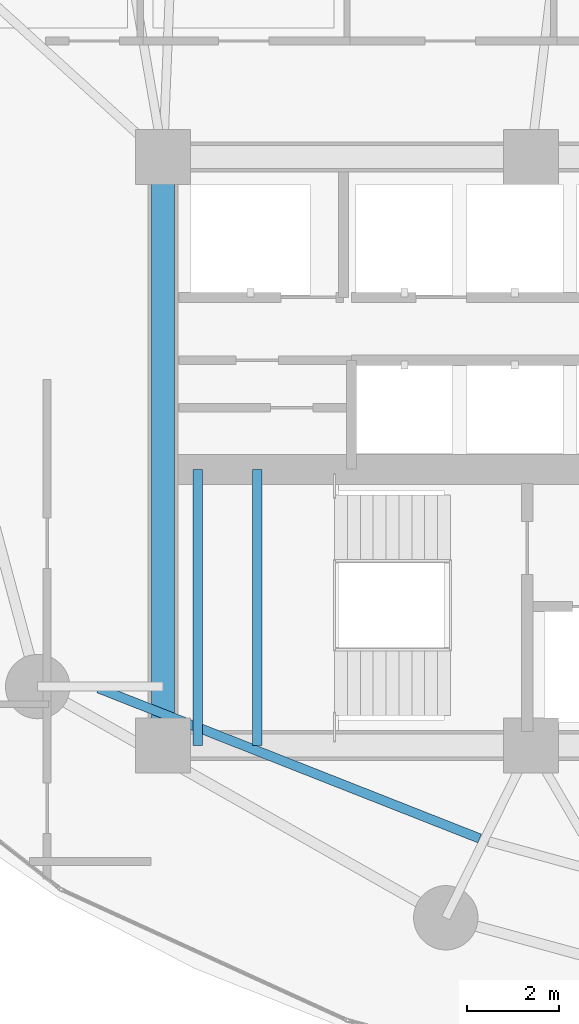
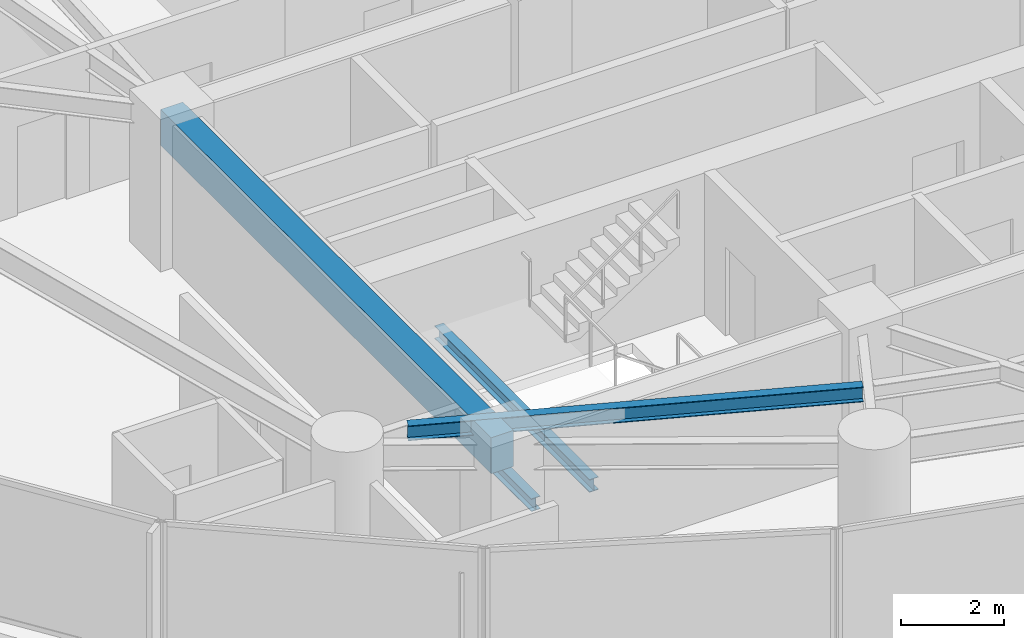
# One storey, part 4 of 33: 4 beams.
"""IFC4 building model written with IfcOpenShell, lengths in metres."""

from ifc_helpers import new_model, si_unit, direction, frame, origin, origin_2d, place, context, subcontext, project, spatial, rectangle, i_section, extrude, material, material_profile, profile_set, type_object, element, save


model = new_model("IFC4")

# Units and contexts
model_context = context("Model", 3, precision=1e-05, world=origin(), true_north=direction((0.0, 1.0)))
body_context = subcontext(model_context, "Body", "Model", "MODEL_VIEW")
ifc_project = project(units=[si_unit("LENGTHUNIT", "METRE"), si_unit("AREAUNIT", "SQUARE_METRE"), si_unit("VOLUMEUNIT", "CUBIC_METRE"), si_unit("PLANEANGLEUNIT", "RADIAN"), si_unit("MASSUNIT", "GRAM", prefix="KILO")], contexts=[model_context])

# Site, building, storey
site_placement = place(None, origin())
site = spatial("IfcSite", under=ifc_project, at=site_placement, CompositionType="ELEMENT")
building_placement = place(site_placement, origin())
building = spatial("IfcBuilding", under=site, at=building_placement, Name="Kazevale Care Tower and Concert Hall", CompositionType="ELEMENT")
storey_placement = place(building_placement, frame((0.0, 0.0, 45.60009765625)))
storey = spatial("IfcBuildingStorey", under=building, at=storey_placement, Name="L11", CompositionType="ELEMENT", Elevation=45.60009765625)

# Beams
ifc_material_1 = material(Name="Concrete C60", Category="concrete")
ifc_material_profile_1 = material_profile(ifc_material_1, rectangle(XDim=0.5, YDim=0.85009765625, at=origin_2d()), Name="RC-B500x850")
ifc_profile_set_1 = profile_set([ifc_material_profile_1], Name="Concrete C60")
beam_type_1 = type_object("IfcBeamType", Name="Core Coupling Beam RC500x850", PredefinedType="LINTEL", material=ifc_profile_set_1)
beam_1_placement = place(storey_placement, frame((22.0, 36.39990234375, 2.934814453125), z_axis=(0.0, -1.0, 0.0), x_axis=(1.0, 0.0, 0.0)))
element("IfcBeam", 1, at=beam_1_placement, inside=storey, type_object=beam_type_1, Name="beam:L11:coretie:8", PredefinedType="LINTEL", context=body_context, shape_type="SweptSolid", body=[
    extrude(rectangle(XDim=0.5, YDim=0.85009765625, at=origin_2d()), origin(), (0.0, 0.0, 1.0), 12.7998046875),
])
ifc_material_2 = material(Name="Steel ASTM A572 Gr 50", Category="steel")
ifc_material_profile_2 = material_profile(ifc_material_2, i_section(OverallWidth=0.205078125, OverallDepth=0.35400390625, WebThickness=0.009521484375, FlangeThickness=0.016845703125, at=origin_2d()), Name="W360x79")
ifc_profile_set_2 = profile_set([ifc_material_profile_2], Name="Steel ASTM A572 Gr 50")
beam_type_2 = type_object("IfcBeamType", Name="Secondary Floor Joist W360x79", PredefinedType="JOIST", material=ifc_profile_set_2)
beam_2_placement = place(storey_placement, frame((20.595947265625, 24.842041015625, 3.182861328125), z_axis=(0.930380638802, -0.366594963062, 0.0), x_axis=(0.366594963062, 0.930380638802, 0.0)))
element("IfcBeam", 2, at=beam_2_placement, inside=storey, type_object=beam_type_2, Name="beam:L11:joist:10", PredefinedType="JOIST", context=body_context, shape_type="SweptSolid", body=[
    extrude(i_section(OverallWidth=0.205078125, OverallDepth=0.35400390625, WebThickness=0.009521484375, FlangeThickness=0.016845703125, at=origin_2d()), origin(), (0.0, 0.0, 1.0), 8.909423828125),
])
ifc_material_profile_3 = material_profile(ifc_material_2, i_section(OverallWidth=0.202880859375, OverallDepth=0.302978515625, WebThickness=0.007568359375, FlangeThickness=0.01318359375, at=origin_2d()), Name="W310x60")
ifc_profile_set_3 = profile_set([ifc_material_profile_3], Name="Steel ASTM A572 Gr 50")
beam_type_3 = type_object("IfcBeamType", Name="Stair & Balcony Trimmer W310x60", PredefinedType="BEAM", material=ifc_profile_set_3)
for number, where, z_axis, x_axis, name in (
    (3, (22.75, 23.60009765625, 1.448486328125), (0.0, 1.0, 0.0), (-1.0, 0.0, 0.0), "beam:L11:sttrim:ST1"),
    (4, (24.050048828125, 23.60009765625, 1.448486328125), (0.0, 1.0, 0.0), (-1.0, 0.0, 0.0), "beam:L11:sttrim:ST1b"),
):
    element("IfcBeam", number, at=place(storey_placement, frame(where, z_axis=z_axis, x_axis=x_axis)), inside=storey, type_object=beam_type_3, Name=name, PredefinedType="BEAM", context=body_context, shape_type="SweptSolid", body=[
        extrude(i_section(OverallWidth=0.202880859375, OverallDepth=0.302978515625, WebThickness=0.007568359375, FlangeThickness=0.01318359375, at=origin_2d()), origin(), (0.0, 0.0, 1.0), 6.0),
    ])

save(model, "model.ifc")
